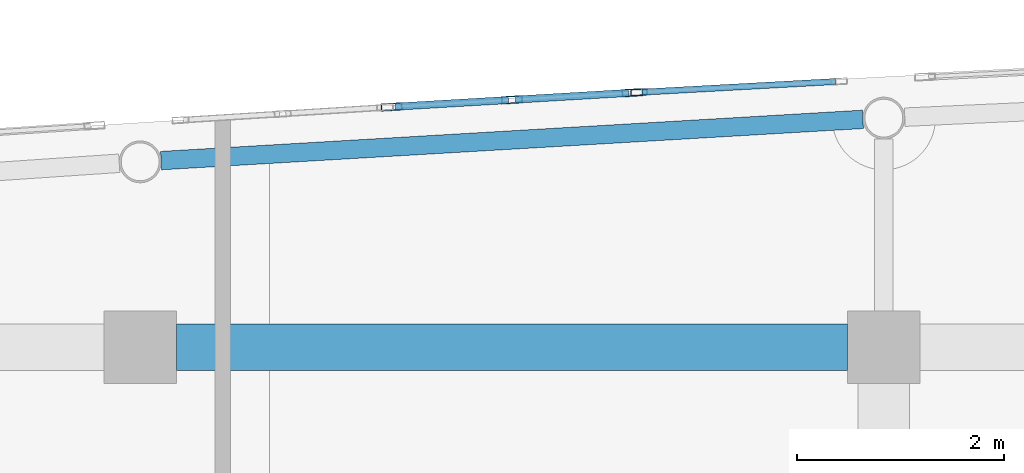
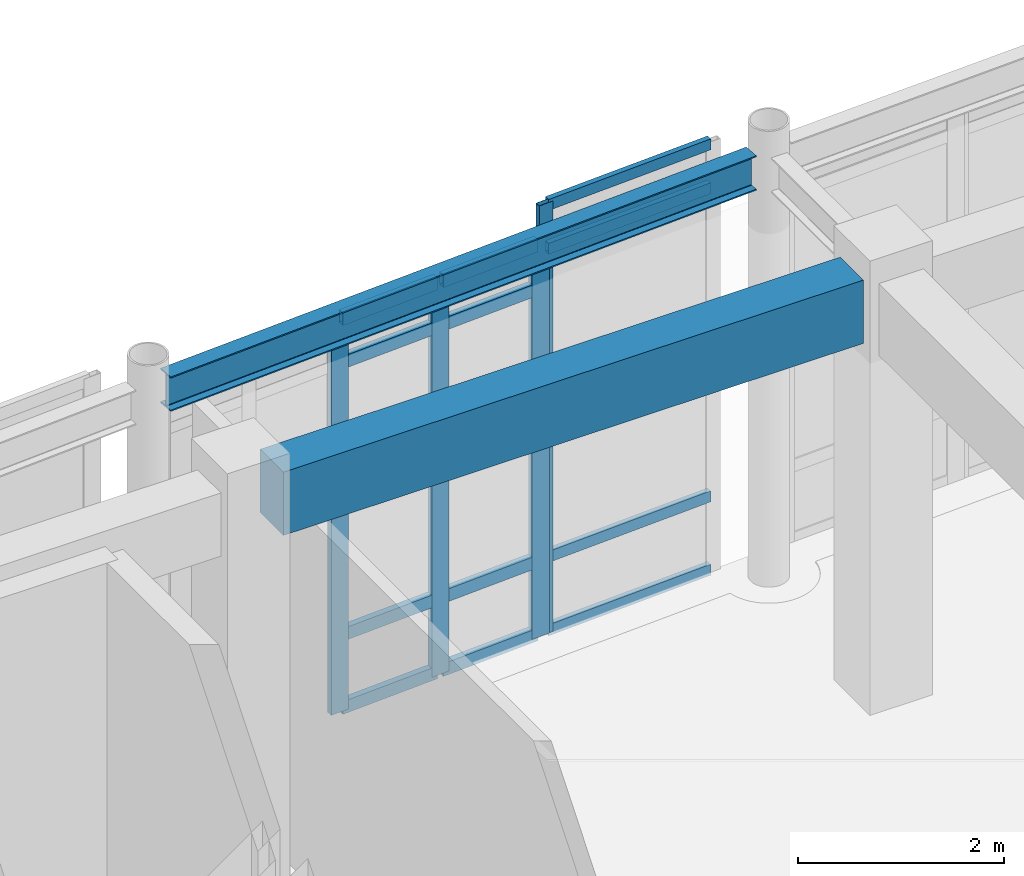
# One storey, part 31 of 102: 16 members, 2 beams, 2 elements without a shape of their own.
"""IFC4 building model written with IfcOpenShell, lengths in metres."""

from ifc_helpers import new_model, si_unit, direction, frame, origin, origin_2d, place, context, subcontext, project, spatial, rectangle, hollow_rectangle, i_section, extrude, material, layer, layer_set, material_profile, profile_set, type_object, element, aggregate, save


model = new_model("IFC4")

# Units and contexts
model_context = context("Model", 3, precision=1e-05, world=origin(), true_north=direction((0.0, 1.0)))
body_context = subcontext(model_context, "Body", "Model", "MODEL_VIEW")
ifc_project = project(units=[si_unit("LENGTHUNIT", "METRE"), si_unit("AREAUNIT", "SQUARE_METRE"), si_unit("VOLUMEUNIT", "CUBIC_METRE"), si_unit("PLANEANGLEUNIT", "RADIAN"), si_unit("MASSUNIT", "GRAM", prefix="KILO")], contexts=[model_context])

# Site, building, storey
site_placement = place(None, origin())
site = spatial("IfcSite", under=ifc_project, at=site_placement, CompositionType="ELEMENT")
building_placement = place(site_placement, origin())
building = spatial("IfcBuilding", under=site, at=building_placement, Name="Carrowvane Square Congress Hotel", CompositionType="ELEMENT")
storey_placement = place(building_placement, origin())
storey = spatial("IfcBuildingStorey", under=building, at=storey_placement, Name="L00", CompositionType="ELEMENT", Elevation=0.0)

# Beams
ifc_material_1 = material(Name="Concrete C35/45", Category="concrete")
ifc_material_profile_1 = material_profile(ifc_material_1, rectangle(XDim=0.449951171875, YDim=0.75, at=origin_2d()), Name="RC 450x750")
ifc_profile_set_1 = profile_set([ifc_material_profile_1], Name="Concrete C35/45")
beam_type_1 = type_object("IfcBeamType", Name="BM-RC-450x750", PredefinedType="USERDEFINED", material=ifc_profile_set_1)
beam_1_placement = place(storey_placement, frame((69.550048828125, 113.39990234375, 4.72509765625), z_axis=(1.0, 0.0, 0.0), x_axis=(0.0, 1.0, 0.0)))
element("IfcBeam", 1, at=beam_1_placement, inside=storey, type_object=beam_type_1, Name="L01 girder R/9-10", ObjectType="GIRDER", PredefinedType="USERDEFINED", context=body_context, shape_type="SweptSolid", body=[
    extrude(rectangle(XDim=0.449951171875, YDim=0.75, at=origin_2d()), origin(), (0.0, 0.0, 1.0), 6.5),
])
ifc_material_2 = material(Name="Steel S355", Category="steel")
ifc_material_profile_2 = material_profile(ifc_material_2, i_section(OverallWidth=0.1787109375, OverallDepth=0.409423828125, WebThickness=0.0087890625, FlangeThickness=0.014404296875, FilletRadius=0.01025390625, at=origin_2d()), Name="UKB 406x178x67")
ifc_profile_set_2 = profile_set([ifc_material_profile_2], Name="Steel S355")
beam_type_2 = type_object("IfcBeamType", Name="BM-ST-UKB406", PredefinedType="BEAM", material=ifc_profile_set_2)
beam_2_placement = place(storey_placement, frame((69.40283203125, 115.206298828125, 4.895263671875), z_axis=(0.998276598904, 0.058684172325, 0.0), x_axis=(-0.058684172325, 0.998276598904, 0.0)))
element("IfcBeam", 2, at=beam_2_placement, inside=storey, type_object=beam_type_2, Name="L01 curved north spandrel", PredefinedType="BEAM", context=body_context, shape_type="SweptSolid", body=[
    extrude(i_section(OverallWidth=0.1787109375, OverallDepth=0.409423828125, WebThickness=0.0087890625, FlangeThickness=0.014404296875, FilletRadius=0.01025390625, at=origin_2d()), origin(), (0.0, 0.0, 1.0), 6.80615234375),
])

# Curtain wall, member
ifc_material_3 = material(Name="Anodised aluminium", Category="aluminium")
ifc_layer_1 = layer(ifc_material_3, 0.162109375)
ifc_layer_set_1 = layer_set([ifc_layer_1], Name="Anodised aluminium")
curtain_wall_type_1 = type_object("IfcCurtainWallType", Name="CW-SYS-1", PredefinedType="NOTDEFINED", material=ifc_layer_set_1)
curtain_wall_1_placement = place(storey_placement, origin())
curtain_wall_1 = element("IfcCurtainWall", 3, at=curtain_wall_1_placement, inside=storey, type_object=curtain_wall_type_1, Name="L00 unitised curtain wall 16", PredefinedType="NOTDEFINED")
ifc_material_4 = material(Name="Anodised aluminium", Category="aluminium")
ifc_material_profile_3 = material_profile(ifc_material_4, hollow_rectangle(XDim=0.06005859375, YDim=0.159912109375, WallThickness=0.00390625, at=origin_2d()), Name="CW-ML 60x160x4")
ifc_profile_set_3 = profile_set([ifc_material_profile_3], Name="Anodised aluminium")
member_type_1 = type_object("IfcMemberType", Name="CW-MUL-1", PredefinedType="MULLION", material=ifc_profile_set_3)
member_1_placement = place(storey_placement, frame((74.030029296875, 115.867431640625, 0.0), z_axis=(0.0, 0.0, 1.0), x_axis=(-0.054815980317, 0.998496473856, 0.0)))
member_1 = element("IfcMember", 4, at=member_1_placement, type_object=member_type_1, Name="CW-1 mullion 1", PredefinedType="MULLION", context=body_context, shape_type="SweptSolid", body=[
    extrude(hollow_rectangle(XDim=0.06005859375, YDim=0.159912109375, WallThickness=0.00390625, at=origin_2d()), origin(), (0.0, 0.0, 1.0), 5.10009765625),
])

# Curtain wall, members
ifc_material_5 = material(Name="Anodised aluminium", Category="aluminium")
ifc_layer_2 = layer(ifc_material_5, 0.24609375)
ifc_layer_set_2 = layer_set([ifc_layer_2], Name="Anodised aluminium")
curtain_wall_type_2 = type_object("IfcCurtainWallType", Name="CW-SYS-8", PredefinedType="NOTDEFINED", material=ifc_layer_set_2)
curtain_wall_2_placement = place(storey_placement, origin())
curtain_wall_2 = element("IfcCurtainWall", 5, at=curtain_wall_2_placement, inside=storey, type_object=curtain_wall_type_2, Name="L00 unitised curtain wall 15", PredefinedType="NOTDEFINED")
ifc_material_6 = material(Name="Anodised aluminium", Category="aluminium")
ifc_material_profile_4 = material_profile(ifc_material_6, hollow_rectangle(XDim=0.070068359375, YDim=0.199951171875, WallThickness=0.0048828125, at=origin_2d()), Name="CW-ML 70x200x5")
ifc_profile_set_4 = profile_set([ifc_material_profile_4], Name="Anodised aluminium")
member_type_2 = type_object("IfcMemberType", Name="CW-MUL-2", PredefinedType="MULLION", material=ifc_profile_set_4)
member_2_placement = place(storey_placement, frame((71.635009765625, 115.726318359375, 0.0), z_axis=(0.0, 0.0, 1.0), x_axis=(-0.058851249486, 0.998266763162, 0.0)))
member_2 = element("IfcMember", 6, at=member_2_placement, type_object=member_type_2, Name="CW-8 mullion 1", PredefinedType="MULLION", context=body_context, shape_type="SweptSolid", body=[
    extrude(hollow_rectangle(XDim=0.070068359375, YDim=0.199951171875, WallThickness=0.0048828125, at=origin_2d()), origin(), (0.0, 0.0, 1.0), 4.675537109375),
])
member_3_placement = place(storey_placement, frame((72.800048828125, 115.795166015625, 0.0), z_axis=(0.0, 0.0, 1.0), x_axis=(-0.058851249486, 0.998266763162, 0.0)))
member_3 = element("IfcMember", 7, at=member_3_placement, type_object=member_type_2, Name="CW-8 mullion 2", PredefinedType="MULLION", context=body_context, shape_type="SweptSolid", body=[
    extrude(hollow_rectangle(XDim=0.070068359375, YDim=0.199951171875, WallThickness=0.0048828125, at=origin_2d()), origin(), (0.0, 0.0, 1.0), 4.675537109375),
])
member_4_placement = place(storey_placement, frame((73.965087890625, 115.86376953125, 0.0), z_axis=(0.0, 0.0, 1.0), x_axis=(-0.058851249486, 0.998266763162, 0.0)))
member_4 = element("IfcMember", 8, at=member_4_placement, type_object=member_type_2, Name="CW-8 mullion 3", PredefinedType="MULLION", context=body_context, shape_type="SweptSolid", body=[
    extrude(hollow_rectangle(XDim=0.070068359375, YDim=0.199951171875, WallThickness=0.0048828125, at=origin_2d()), origin(), (0.0, 0.0, 1.0), 4.675537109375),
])

# Member
ifc_material_7 = material(Name="Anodised aluminium", Category="aluminium")
ifc_material_profile_5 = material_profile(ifc_material_7, hollow_rectangle(XDim=0.06005859375, YDim=0.1298828125, WallThickness=0.00390625, at=origin_2d()), Name="CW-TR 60x130x4")
ifc_profile_set_5 = profile_set([ifc_material_profile_5], Name="Anodised aluminium")
member_type_3 = type_object("IfcMemberType", Name="CW-TRN-1", PredefinedType="USERDEFINED", material=ifc_profile_set_5)
member_5_placement = place(storey_placement, frame((74.059814453125, 115.869140625, 0.030029296875), z_axis=(0.99849494655, 0.054843793758, 0.0), x_axis=(-0.054843793758, 0.99849494655, 0.0)))
member_5 = element("IfcMember", 9, at=member_5_placement, type_object=member_type_3, Name="CW-1 transom 1.1", ObjectType="TRANSOM", PredefinedType="USERDEFINED", context=body_context, shape_type="SweptSolid", body=[
    extrude(hollow_rectangle(XDim=0.06005859375, YDim=0.1298828125, WallThickness=0.00390625, at=origin_2d()), origin(), (0.0, 0.0, 1.0), 1.878662109375),
])

member_6_placement = place(storey_placement, frame((74.059814453125, 115.869140625, 0.89990234375), z_axis=(0.99849494655, 0.054843793758, 0.0), x_axis=(-0.054843793758, 0.99849494655, 0.0)))
member_6 = element("IfcMember", 10, at=member_6_placement, type_object=member_type_3, Name="CW-1 transom 1.2", ObjectType="TRANSOM", PredefinedType="USERDEFINED", context=body_context, shape_type="SweptSolid", body=[
    extrude(hollow_rectangle(XDim=0.06005859375, YDim=0.1298828125, WallThickness=0.00390625, at=origin_2d()), origin(), (0.0, 0.0, 1.0), 1.878662109375),
])

member_7_placement = place(storey_placement, frame((74.059814453125, 115.869140625, 4.550048828125), z_axis=(0.99849494655, 0.054843793758, 0.0), x_axis=(-0.054843793758, 0.99849494655, 0.0)))
member_7 = element("IfcMember", 11, at=member_7_placement, type_object=member_type_3, Name="CW-1 transom 1.3", ObjectType="TRANSOM", PredefinedType="USERDEFINED", context=body_context, shape_type="SweptSolid", body=[
    extrude(hollow_rectangle(XDim=0.06005859375, YDim=0.1298828125, WallThickness=0.00390625, at=origin_2d()), origin(), (0.0, 0.0, 1.0), 1.878662109375),
])

member_8_placement = place(storey_placement, frame((74.059814453125, 115.869140625, 5.070068359375), z_axis=(0.99849494655, 0.054843793758, 0.0), x_axis=(-0.054843793758, 0.99849494655, 0.0)))
member_8 = element("IfcMember", 12, at=member_8_placement, type_object=member_type_3, Name="CW-1 transom 1.4", ObjectType="TRANSOM", PredefinedType="USERDEFINED", context=body_context, shape_type="SweptSolid", body=[
    extrude(hollow_rectangle(XDim=0.06005859375, YDim=0.1298828125, WallThickness=0.00390625, at=origin_2d()), origin(), (0.0, 0.0, 1.0), 1.878662109375),
])

aggregate(curtain_wall_1, [member_1, member_5, member_6, member_7, member_8])

ifc_material_8 = material(Name="Anodised aluminium", Category="aluminium")
ifc_material_profile_6 = material_profile(ifc_material_8, hollow_rectangle(XDim=0.070068359375, YDim=0.14990234375, WallThickness=0.0048828125, at=origin_2d()), Name="CW-TR 70x150x5")
ifc_profile_set_6 = profile_set([ifc_material_profile_6], Name="Anodised aluminium")
member_type_4 = type_object("IfcMemberType", Name="CW-TRN-2", PredefinedType="USERDEFINED", material=ifc_profile_set_6)
member_9_placement = place(storey_placement, frame((71.669921875, 115.728515625, 0.034912109375), z_axis=(0.998272838139, 0.058748111741, 0.0), x_axis=(-0.058748111741, 0.998272838139, 0.0)))
member_9 = element("IfcMember", 13, at=member_9_placement, type_object=member_type_4, Name="CW-8 transom 1.1", ObjectType="TRANSOM", PredefinedType="USERDEFINED", context=body_context, shape_type="SweptSolid", body=[
    extrude(hollow_rectangle(XDim=0.070068359375, YDim=0.14990234375, WallThickness=0.0048828125, at=origin_2d()), origin(), (0.0, 0.0, 1.0), 1.09716796875),
])

member_10_placement = place(storey_placement, frame((71.669921875, 115.728515625, 0.89990234375), z_axis=(0.998272838139, 0.058748111741, 0.0), x_axis=(-0.058748111741, 0.998272838139, 0.0)))
member_10 = element("IfcMember", 14, at=member_10_placement, type_object=member_type_4, Name="CW-8 transom 1.2", ObjectType="TRANSOM", PredefinedType="USERDEFINED", context=body_context, shape_type="SweptSolid", body=[
    extrude(hollow_rectangle(XDim=0.070068359375, YDim=0.14990234375, WallThickness=0.0048828125, at=origin_2d()), origin(), (0.0, 0.0, 1.0), 1.09716796875),
])

member_11_placement = place(storey_placement, frame((71.669921875, 115.728515625, 4.12548828125), z_axis=(0.998272838139, 0.058748111741, 0.0), x_axis=(-0.058748111741, 0.998272838139, 0.0)))
member_11 = element("IfcMember", 15, at=member_11_placement, type_object=member_type_4, Name="CW-8 transom 1.3", ObjectType="TRANSOM", PredefinedType="USERDEFINED", context=body_context, shape_type="SweptSolid", body=[
    extrude(hollow_rectangle(XDim=0.070068359375, YDim=0.14990234375, WallThickness=0.0048828125, at=origin_2d()), origin(), (0.0, 0.0, 1.0), 1.09716796875),
])

member_12_placement = place(storey_placement, frame((71.669921875, 115.728515625, 4.640625), z_axis=(0.998272838139, 0.058748111741, 0.0), x_axis=(-0.058748111741, 0.998272838139, 0.0)))
member_12 = element("IfcMember", 16, at=member_12_placement, type_object=member_type_4, Name="CW-8 transom 1.4", ObjectType="TRANSOM", PredefinedType="USERDEFINED", context=body_context, shape_type="SweptSolid", body=[
    extrude(hollow_rectangle(XDim=0.070068359375, YDim=0.14990234375, WallThickness=0.0048828125, at=origin_2d()), origin(), (0.0, 0.0, 1.0), 1.09716796875),
])

member_13_placement = place(storey_placement, frame((72.8349609375, 115.797119140625, 0.034912109375), z_axis=(0.998259762999, 0.058969870084, 0.0), x_axis=(-0.058969870084, 0.998259762999, 0.0)))
member_13 = element("IfcMember", 17, at=member_13_placement, type_object=member_type_4, Name="CW-8 transom 2.1", ObjectType="TRANSOM", PredefinedType="USERDEFINED", context=body_context, shape_type="SweptSolid", body=[
    extrude(hollow_rectangle(XDim=0.070068359375, YDim=0.14990234375, WallThickness=0.0048828125, at=origin_2d()), origin(), (0.0, 0.0, 1.0), 1.09716796875),
])

member_14_placement = place(storey_placement, frame((72.8349609375, 115.797119140625, 0.89990234375), z_axis=(0.998259762999, 0.058969870084, 0.0), x_axis=(-0.058969870084, 0.998259762999, 0.0)))
member_14 = element("IfcMember", 18, at=member_14_placement, type_object=member_type_4, Name="CW-8 transom 2.2", ObjectType="TRANSOM", PredefinedType="USERDEFINED", context=body_context, shape_type="SweptSolid", body=[
    extrude(hollow_rectangle(XDim=0.070068359375, YDim=0.14990234375, WallThickness=0.0048828125, at=origin_2d()), origin(), (0.0, 0.0, 1.0), 1.09716796875),
])

member_15_placement = place(storey_placement, frame((72.8349609375, 115.797119140625, 4.12548828125), z_axis=(0.998259762999, 0.058969870084, 0.0), x_axis=(-0.058969870084, 0.998259762999, 0.0)))
member_15 = element("IfcMember", 19, at=member_15_placement, type_object=member_type_4, Name="CW-8 transom 2.3", ObjectType="TRANSOM", PredefinedType="USERDEFINED", context=body_context, shape_type="SweptSolid", body=[
    extrude(hollow_rectangle(XDim=0.070068359375, YDim=0.14990234375, WallThickness=0.0048828125, at=origin_2d()), origin(), (0.0, 0.0, 1.0), 1.09716796875),
])

member_16_placement = place(storey_placement, frame((72.8349609375, 115.797119140625, 4.640625), z_axis=(0.998259762999, 0.058969870084, 0.0), x_axis=(-0.058969870084, 0.998259762999, 0.0)))
member_16 = element("IfcMember", 20, at=member_16_placement, type_object=member_type_4, Name="CW-8 transom 2.4", ObjectType="TRANSOM", PredefinedType="USERDEFINED", context=body_context, shape_type="SweptSolid", body=[
    extrude(hollow_rectangle(XDim=0.070068359375, YDim=0.14990234375, WallThickness=0.0048828125, at=origin_2d()), origin(), (0.0, 0.0, 1.0), 1.09716796875),
])

aggregate(curtain_wall_2, [member_2, member_3, member_4, member_9, member_10, member_11, member_12, member_13, member_14, member_15, member_16])

save(model, "model.ifc")
